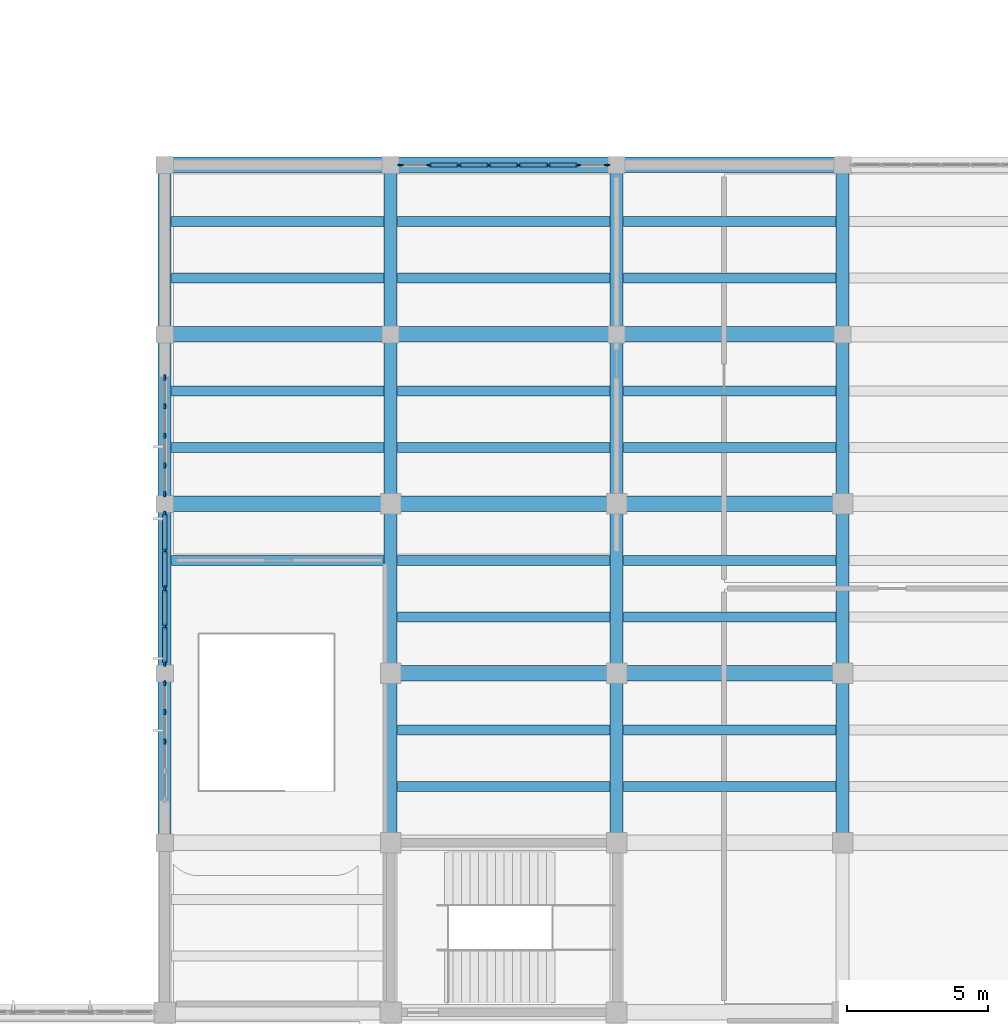
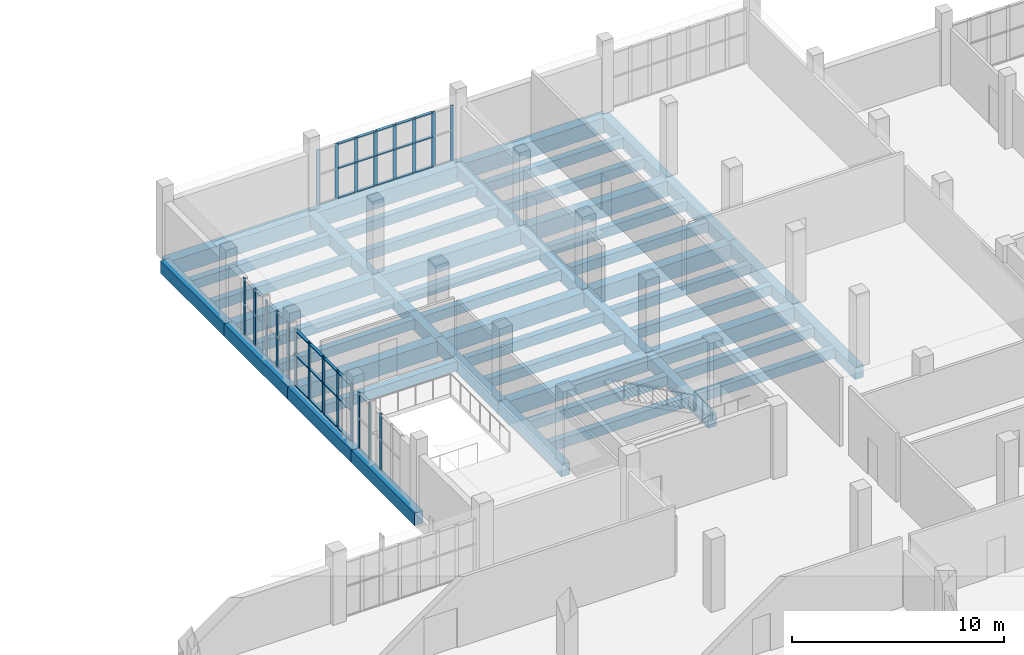
# One storey, part 16 of 85: 49 members, 48 beams, 5 elements without a shape of their own.
"""IFC4 building model written with IfcOpenShell, lengths in metres."""

from ifc_helpers import new_model, si_unit, direction, frame, origin, origin_2d, place, context, subcontext, project, spatial, rectangle, extrude, material, layer, layer_set, material_profile, profile_set, type_object, element, aggregate, save


model = new_model("IFC4")

# Units and contexts
model_context = context("Model", 3, precision=1e-05, world=origin(), true_north=direction((0.0, 1.0)))
body_context = subcontext(model_context, "Body", "Model", "MODEL_VIEW")
ifc_project = project(units=[si_unit("LENGTHUNIT", "METRE"), si_unit("AREAUNIT", "SQUARE_METRE"), si_unit("VOLUMEUNIT", "CUBIC_METRE"), si_unit("PLANEANGLEUNIT", "RADIAN"), si_unit("MASSUNIT", "GRAM", prefix="KILO")], contexts=[model_context])

# Site, building, storey
site_placement = place(None, origin())
site = spatial("IfcSite", under=ifc_project, at=site_placement, CompositionType="ELEMENT")
building_placement = place(site_placement, origin())
building = spatial("IfcBuilding", under=site, at=building_placement, Name="Solvane Community Centre", CompositionType="ELEMENT")
storey_placement = place(building_placement, frame((0.0, 0.0, 5.39990234375)))
storey = spatial("IfcBuildingStorey", under=building, at=storey_placement, Name="L01", CompositionType="ELEMENT", Elevation=5.39990234375)

# Curtain wall, members
ifc_material_1 = material(Name="Anodised bronze aluminium AW-6063 T6", Category="aluminium")
ifc_layer_1 = layer(ifc_material_1, 0.18994140625)
ifc_layer_set_1 = layer_set([ifc_layer_1], Name="Anodised bronze aluminium AW-6063 T6")
curtain_wall_type_1 = type_object("IfcCurtainWallType", Name="Boulevard Bronze Vision Curtain Wall [42x32dm]", PredefinedType="NOTDEFINED", material=ifc_layer_set_1)
curtain_wall_1_placement = place(storey_placement, origin())
curtain_wall_1 = element("IfcCurtainWall", 1, at=curtain_wall_1_placement, inside=storey, type_object=curtain_wall_type_1, Name="Curtain Wall CW-L01-1080_375-114", PredefinedType="NOTDEFINED")
ifc_material_profile_1 = material_profile(ifc_material_1, rectangle(XDim=0.06005859375, YDim=0.18994140625, at=origin_2d()), Name="CW-M 60x190")
ifc_profile_set_1 = profile_set([ifc_material_profile_1], Name="Anodised bronze aluminium AW-6063 T6")
member_type_1 = type_object("IfcMemberType", Name="Boulevard Mullion 60x190", PredefinedType="MULLION", material=ifc_profile_set_1)
member_1_placement = place(storey_placement, frame((108.0, 39.590087890625, 0.0), z_axis=(0.0, 0.0, 1.0), x_axis=(-1.0, 0.0, 0.0)))
member_1 = element("IfcMember", 2, at=member_1_placement, type_object=member_type_1, Name="CW02-42x32 mullion 3", PredefinedType="MULLION", context=body_context, shape_type="SweptSolid", body=[
    extrude(rectangle(XDim=0.06005859375, YDim=0.18994140625, at=origin_2d()), origin(), (0.0, 0.0, 1.0), 3.2451171875),
])
member_2_placement = place(storey_placement, frame((108.0, 40.635009765625, 0.0), z_axis=(0.0, 0.0, 1.0), x_axis=(-1.0, 0.0, 0.0)))
member_2 = element("IfcMember", 3, at=member_2_placement, type_object=member_type_1, Name="CW02-42x32 mullion 4", PredefinedType="MULLION", context=body_context, shape_type="SweptSolid", body=[
    extrude(rectangle(XDim=0.06005859375, YDim=0.18994140625, at=origin_2d()), origin(), (0.0, 0.0, 1.0), 3.2451171875),
])
member_3_placement = place(storey_placement, frame((108.0, 41.64990234375, 0.0), z_axis=(0.0, 0.0, 1.0), x_axis=(-1.0, 0.0, 0.0)))
member_3 = element("IfcMember", 4, at=member_3_placement, type_object=member_type_1, Name="CW02-42x32 mullion 5", PredefinedType="MULLION", context=body_context, shape_type="SweptSolid", body=[
    extrude(rectangle(XDim=0.06005859375, YDim=0.18994140625, at=origin_2d()), origin(), (0.0, 0.0, 1.0), 3.2451171875),
])
aggregate(curtain_wall_1, [member_1, member_2, member_3])

ifc_layer_2 = layer(ifc_material_1, 0.18994140625)
ifc_layer_set_2 = layer_set([ifc_layer_2], Name="Anodised bronze aluminium AW-6063 T6")
curtain_wall_type_2 = type_object("IfcCurtainWallType", Name="Boulevard Bronze Vision Curtain Wall [27x32dm]", PredefinedType="NOTDEFINED", material=ifc_layer_set_2)
curtain_wall_2_placement = place(storey_placement, origin())
curtain_wall_2 = element("IfcCurtainWall", 5, at=curtain_wall_2_placement, inside=storey, type_object=curtain_wall_type_2, Name="Curtain Wall CW-L01-1080_423-115", PredefinedType="NOTDEFINED")
member_4_placement = place(storey_placement, frame((108.0, 42.35009765625, 0.0), z_axis=(0.0, 0.0, 1.0), x_axis=(-1.0, 0.0, 0.0)))
member_4 = element("IfcMember", 6, at=member_4_placement, type_object=member_type_1, Name="CW02-27x32 mullion 1", PredefinedType="MULLION", context=body_context, shape_type="SweptSolid", body=[
    extrude(rectangle(XDim=0.06005859375, YDim=0.18994140625, at=origin_2d()), origin(), (0.0, 0.0, 1.0), 3.2451171875),
])
member_5_placement = place(storey_placement, frame((108.0, 43.659912109375, 0.0), z_axis=(0.0, 0.0, 1.0), x_axis=(-1.0, 0.0, 0.0)))
member_5 = element("IfcMember", 7, at=member_5_placement, type_object=member_type_1, Name="CW02-27x32 mullion 2", PredefinedType="MULLION", context=body_context, shape_type="SweptSolid", body=[
    extrude(rectangle(XDim=0.06005859375, YDim=0.18994140625, at=origin_2d()), origin(), (0.0, 0.0, 1.0), 3.2451171875),
])
member_6_placement = place(storey_placement, frame((108.0, 44.969970703125, 0.0), z_axis=(0.0, 0.0, 1.0), x_axis=(-1.0, 0.0, 0.0)))
member_6 = element("IfcMember", 8, at=member_6_placement, type_object=member_type_1, Name="CW02-27x32 mullion 3", PredefinedType="MULLION", context=body_context, shape_type="SweptSolid", body=[
    extrude(rectangle(XDim=0.06005859375, YDim=0.18994140625, at=origin_2d()), origin(), (0.0, 0.0, 1.0), 3.2451171875),
])

curtain_wall_3_placement = place(storey_placement, origin())
curtain_wall_3 = element("IfcCurtainWall", 9, at=curtain_wall_3_placement, inside=storey, type_object=curtain_wall_type_2, Name="Curtain Wall CW-L01-1080_450-116", PredefinedType="NOTDEFINED")
member_7_placement = place(storey_placement, frame((108.0, 45.030029296875, 0.0), z_axis=(0.0, 0.0, 1.0), x_axis=(-1.0, 0.0, 0.0)))
member_7 = element("IfcMember", 10, at=member_7_placement, type_object=member_type_1, Name="CW02-27x32 mullion 1", PredefinedType="MULLION", context=body_context, shape_type="SweptSolid", body=[
    extrude(rectangle(XDim=0.06005859375, YDim=0.18994140625, at=origin_2d()), origin(), (0.0, 0.0, 1.0), 3.2451171875),
])
member_8_placement = place(storey_placement, frame((108.0, 46.340087890625, 0.0), z_axis=(0.0, 0.0, 1.0), x_axis=(-1.0, 0.0, 0.0)))
member_8 = element("IfcMember", 11, at=member_8_placement, type_object=member_type_1, Name="CW02-27x32 mullion 2", PredefinedType="MULLION", context=body_context, shape_type="SweptSolid", body=[
    extrude(rectangle(XDim=0.06005859375, YDim=0.18994140625, at=origin_2d()), origin(), (0.0, 0.0, 1.0), 3.2451171875),
])
member_9_placement = place(storey_placement, frame((108.0, 47.64990234375, 0.0), z_axis=(0.0, 0.0, 1.0), x_axis=(-1.0, 0.0, 0.0)))
member_9 = element("IfcMember", 12, at=member_9_placement, type_object=member_type_1, Name="CW02-27x32 mullion 3", PredefinedType="MULLION", context=body_context, shape_type="SweptSolid", body=[
    extrude(rectangle(XDim=0.06005859375, YDim=0.18994140625, at=origin_2d()), origin(), (0.0, 0.0, 1.0), 3.2451171875),
])

curtain_wall_4_placement = place(storey_placement, origin())
curtain_wall_4 = element("IfcCurtainWall", 13, at=curtain_wall_4_placement, inside=storey, type_object=curtain_wall_type_1, Name="Curtain Wall CW-L01-1080_483-117", PredefinedType="NOTDEFINED")
member_10_placement = place(storey_placement, frame((108.0, 48.35009765625, 0.0), z_axis=(0.0, 0.0, 1.0), x_axis=(-1.0, 0.0, 0.0)))
member_10 = element("IfcMember", 14, at=member_10_placement, type_object=member_type_1, Name="CW02-42x32 mullion 1", PredefinedType="MULLION", context=body_context, shape_type="SweptSolid", body=[
    extrude(rectangle(XDim=0.06005859375, YDim=0.18994140625, at=origin_2d()), origin(), (0.0, 0.0, 1.0), 3.2451171875),
])
member_11_placement = place(storey_placement, frame((108.0, 49.364990234375, 0.0), z_axis=(0.0, 0.0, 1.0), x_axis=(-1.0, 0.0, 0.0)))
member_11 = element("IfcMember", 15, at=member_11_placement, type_object=member_type_1, Name="CW02-42x32 mullion 2", PredefinedType="MULLION", context=body_context, shape_type="SweptSolid", body=[
    extrude(rectangle(XDim=0.06005859375, YDim=0.18994140625, at=origin_2d()), origin(), (0.0, 0.0, 1.0), 3.2451171875),
])
member_12_placement = place(storey_placement, frame((108.0, 50.409912109375, 0.0), z_axis=(0.0, 0.0, 1.0), x_axis=(-1.0, 0.0, 0.0)))
member_12 = element("IfcMember", 16, at=member_12_placement, type_object=member_type_1, Name="CW02-42x32 mullion 3", PredefinedType="MULLION", context=body_context, shape_type="SweptSolid", body=[
    extrude(rectangle(XDim=0.06005859375, YDim=0.18994140625, at=origin_2d()), origin(), (0.0, 0.0, 1.0), 3.2451171875),
])
member_13_placement = place(storey_placement, frame((108.0, 51.455078125, 0.0), z_axis=(0.0, 0.0, 1.0), x_axis=(-1.0, 0.0, 0.0)))
member_13 = element("IfcMember", 17, at=member_13_placement, type_object=member_type_1, Name="CW02-42x32 mullion 4", PredefinedType="MULLION", context=body_context, shape_type="SweptSolid", body=[
    extrude(rectangle(XDim=0.06005859375, YDim=0.18994140625, at=origin_2d()), origin(), (0.0, 0.0, 1.0), 3.2451171875),
])
member_14_placement = place(storey_placement, frame((108.0, 52.469970703125, 0.0), z_axis=(0.0, 0.0, 1.0), x_axis=(-1.0, 0.0, 0.0)))
member_14 = element("IfcMember", 18, at=member_14_placement, type_object=member_type_1, Name="CW02-42x32 mullion 5", PredefinedType="MULLION", context=body_context, shape_type="SweptSolid", body=[
    extrude(rectangle(XDim=0.06005859375, YDim=0.18994140625, at=origin_2d()), origin(), (0.0, 0.0, 1.0), 3.2451171875),
])
aggregate(curtain_wall_4, [member_10, member_11, member_12, member_13, member_14])

ifc_layer_3 = layer(ifc_material_1, 0.18994140625)
ifc_layer_set_3 = layer_set([ifc_layer_3], Name="Anodised bronze aluminium AW-6063 T6")
curtain_wall_type_3 = type_object("IfcCurtainWallType", Name="Boulevard Bronze Vision Curtain Wall [74x32dm]", PredefinedType="NOTDEFINED", material=ifc_layer_set_3)
curtain_wall_5_placement = place(storey_placement, origin())
curtain_wall_5 = element("IfcCurtainWall", 19, at=curtain_wall_5_placement, inside=storey, type_object=curtain_wall_type_3, Name="Curtain Wall CW-L01-1163_600-118", PredefinedType="NOTDEFINED")
member_15_placement = place(storey_placement, frame((116.344970703125, 60.0, 0.0), z_axis=(0.0, 0.0, 1.0), x_axis=(0.0, 1.0, 0.0)))
member_15 = element("IfcMember", 20, at=member_15_placement, type_object=member_type_1, Name="CW02-74x32 mullion 1", PredefinedType="MULLION", context=body_context, shape_type="SweptSolid", body=[
    extrude(rectangle(XDim=0.06005859375, YDim=0.18994140625, at=origin_2d()), origin(), (0.0, 0.0, 1.0), 3.1650390625),
])
member_16_placement = place(storey_placement, frame((117.367919921875, 60.0, 0.0), z_axis=(0.0, 0.0, 1.0), x_axis=(0.0, 1.0, 0.0)))
member_16 = element("IfcMember", 21, at=member_16_placement, type_object=member_type_1, Name="CW02-74x32 mullion 2", PredefinedType="MULLION", context=body_context, shape_type="SweptSolid", body=[
    extrude(rectangle(XDim=0.06005859375, YDim=0.18994140625, at=origin_2d()), origin(), (0.0, 0.0, 1.0), 3.1650390625),
])
member_17_placement = place(storey_placement, frame((118.420654296875, 60.0, 0.0), z_axis=(0.0, 0.0, 1.0), x_axis=(0.0, 1.0, 0.0)))
member_17 = element("IfcMember", 22, at=member_17_placement, type_object=member_type_1, Name="CW02-74x32 mullion 3", PredefinedType="MULLION", context=body_context, shape_type="SweptSolid", body=[
    extrude(rectangle(XDim=0.06005859375, YDim=0.18994140625, at=origin_2d()), origin(), (0.0, 0.0, 1.0), 3.1650390625),
])
member_18_placement = place(storey_placement, frame((119.4736328125, 60.0, 0.0), z_axis=(0.0, 0.0, 1.0), x_axis=(0.0, 1.0, 0.0)))
member_18 = element("IfcMember", 23, at=member_18_placement, type_object=member_type_1, Name="CW02-74x32 mullion 4", PredefinedType="MULLION", context=body_context, shape_type="SweptSolid", body=[
    extrude(rectangle(XDim=0.06005859375, YDim=0.18994140625, at=origin_2d()), origin(), (0.0, 0.0, 1.0), 3.1650390625),
])
member_19_placement = place(storey_placement, frame((120.5263671875, 60.0, 0.0), z_axis=(0.0, 0.0, 1.0), x_axis=(0.0, 1.0, 0.0)))
member_19 = element("IfcMember", 24, at=member_19_placement, type_object=member_type_1, Name="CW02-74x32 mullion 5", PredefinedType="MULLION", context=body_context, shape_type="SweptSolid", body=[
    extrude(rectangle(XDim=0.06005859375, YDim=0.18994140625, at=origin_2d()), origin(), (0.0, 0.0, 1.0), 3.1650390625),
])
member_20_placement = place(storey_placement, frame((121.579345703125, 60.0, 0.0), z_axis=(0.0, 0.0, 1.0), x_axis=(0.0, 1.0, 0.0)))
member_20 = element("IfcMember", 25, at=member_20_placement, type_object=member_type_1, Name="CW02-74x32 mullion 6", PredefinedType="MULLION", context=body_context, shape_type="SweptSolid", body=[
    extrude(rectangle(XDim=0.06005859375, YDim=0.18994140625, at=origin_2d()), origin(), (0.0, 0.0, 1.0), 3.1650390625),
])
member_21_placement = place(storey_placement, frame((122.632080078125, 60.0, 0.0), z_axis=(0.0, 0.0, 1.0), x_axis=(0.0, 1.0, 0.0)))
member_21 = element("IfcMember", 26, at=member_21_placement, type_object=member_type_1, Name="CW02-74x32 mullion 7", PredefinedType="MULLION", context=body_context, shape_type="SweptSolid", body=[
    extrude(rectangle(XDim=0.06005859375, YDim=0.18994140625, at=origin_2d()), origin(), (0.0, 0.0, 1.0), 3.1650390625),
])
member_22_placement = place(storey_placement, frame((123.655029296875, 60.0, 0.0), z_axis=(0.0, 0.0, 1.0), x_axis=(0.0, 1.0, 0.0)))
member_22 = element("IfcMember", 27, at=member_22_placement, type_object=member_type_1, Name="CW02-74x32 mullion 8", PredefinedType="MULLION", context=body_context, shape_type="SweptSolid", body=[
    extrude(rectangle(XDim=0.06005859375, YDim=0.18994140625, at=origin_2d()), origin(), (0.0, 0.0, 1.0), 3.1650390625),
])

# Member
ifc_material_profile_2 = material_profile(ifc_material_1, rectangle(XDim=0.14990234375, YDim=0.06005859375, at=origin_2d()), Name="CW-T 60x150")
ifc_profile_set_2 = profile_set([ifc_material_profile_2], Name="Anodised bronze aluminium AW-6063 T6")
member_type_2 = type_object("IfcMemberType", Name="Boulevard Transom 60x150", PredefinedType="USERDEFINED", material=ifc_profile_set_2)
member_23_placement = place(storey_placement, frame((108.0, 42.3798828125, 0.030029296875), z_axis=(0.0, 1.0, 0.0), x_axis=(-1.0, 0.0, 0.0)))
member_23 = element("IfcMember", 28, at=member_23_placement, type_object=member_type_2, Name="CW02-27x32 transom 1.1", ObjectType="TRANSOM", PredefinedType="USERDEFINED", context=body_context, shape_type="SweptSolid", body=[
    extrude(rectangle(XDim=0.14990234375, YDim=0.06005859375, at=origin_2d()), origin(), (0.0, 0.0, 1.0), 1.25),
])

member_24_placement = place(storey_placement, frame((108.0, 42.3798828125, 1.78515625), z_axis=(0.0, 1.0, 0.0), x_axis=(-1.0, 0.0, 0.0)))
member_24 = element("IfcMember", 29, at=member_24_placement, type_object=member_type_2, Name="CW02-27x32 transom 1.2", ObjectType="TRANSOM", PredefinedType="USERDEFINED", context=body_context, shape_type="SweptSolid", body=[
    extrude(rectangle(XDim=0.14990234375, YDim=0.06005859375, at=origin_2d()), origin(), (0.0, 0.0, 1.0), 1.25),
])

member_25_placement = place(storey_placement, frame((108.0, 42.3798828125, 3.215087890625), z_axis=(0.0, 1.0, 0.0), x_axis=(-1.0, 0.0, 0.0)))
member_25 = element("IfcMember", 30, at=member_25_placement, type_object=member_type_2, Name="CW02-27x32 transom 1.3", ObjectType="TRANSOM", PredefinedType="USERDEFINED", context=body_context, shape_type="SweptSolid", body=[
    extrude(rectangle(XDim=0.14990234375, YDim=0.06005859375, at=origin_2d()), origin(), (0.0, 0.0, 1.0), 1.25),
])

member_26_placement = place(storey_placement, frame((108.0, 43.68994140625, 0.030029296875), z_axis=(0.0, 1.0, 0.0), x_axis=(-1.0, 0.0, 0.0)))
member_26 = element("IfcMember", 31, at=member_26_placement, type_object=member_type_2, Name="CW02-27x32 transom 2.1", ObjectType="TRANSOM", PredefinedType="USERDEFINED", context=body_context, shape_type="SweptSolid", body=[
    extrude(rectangle(XDim=0.14990234375, YDim=0.06005859375, at=origin_2d()), origin(), (0.0, 0.0, 1.0), 1.25),
])

member_27_placement = place(storey_placement, frame((108.0, 43.68994140625, 1.78515625), z_axis=(0.0, 1.0, 0.0), x_axis=(-1.0, 0.0, 0.0)))
member_27 = element("IfcMember", 32, at=member_27_placement, type_object=member_type_2, Name="CW02-27x32 transom 2.2", ObjectType="TRANSOM", PredefinedType="USERDEFINED", context=body_context, shape_type="SweptSolid", body=[
    extrude(rectangle(XDim=0.14990234375, YDim=0.06005859375, at=origin_2d()), origin(), (0.0, 0.0, 1.0), 1.25),
])

member_28_placement = place(storey_placement, frame((108.0, 43.68994140625, 3.215087890625), z_axis=(0.0, 1.0, 0.0), x_axis=(-1.0, 0.0, 0.0)))
member_28 = element("IfcMember", 33, at=member_28_placement, type_object=member_type_2, Name="CW02-27x32 transom 2.3", ObjectType="TRANSOM", PredefinedType="USERDEFINED", context=body_context, shape_type="SweptSolid", body=[
    extrude(rectangle(XDim=0.14990234375, YDim=0.06005859375, at=origin_2d()), origin(), (0.0, 0.0, 1.0), 1.25),
])

aggregate(curtain_wall_2, [member_4, member_5, member_6, member_23, member_24, member_25, member_26, member_27, member_28])

member_29_placement = place(storey_placement, frame((108.0, 45.06005859375, 0.030029296875), z_axis=(0.0, 1.0, 0.0), x_axis=(-1.0, 0.0, 0.0)))
member_29 = element("IfcMember", 34, at=member_29_placement, type_object=member_type_2, Name="CW02-27x32 transom 1.1", ObjectType="TRANSOM", PredefinedType="USERDEFINED", context=body_context, shape_type="SweptSolid", body=[
    extrude(rectangle(XDim=0.14990234375, YDim=0.06005859375, at=origin_2d()), origin(), (0.0, 0.0, 1.0), 1.25),
])

member_30_placement = place(storey_placement, frame((108.0, 45.06005859375, 1.78515625), z_axis=(0.0, 1.0, 0.0), x_axis=(-1.0, 0.0, 0.0)))
member_30 = element("IfcMember", 35, at=member_30_placement, type_object=member_type_2, Name="CW02-27x32 transom 1.2", ObjectType="TRANSOM", PredefinedType="USERDEFINED", context=body_context, shape_type="SweptSolid", body=[
    extrude(rectangle(XDim=0.14990234375, YDim=0.06005859375, at=origin_2d()), origin(), (0.0, 0.0, 1.0), 1.25),
])

member_31_placement = place(storey_placement, frame((108.0, 45.06005859375, 3.215087890625), z_axis=(0.0, 1.0, 0.0), x_axis=(-1.0, 0.0, 0.0)))
member_31 = element("IfcMember", 36, at=member_31_placement, type_object=member_type_2, Name="CW02-27x32 transom 1.3", ObjectType="TRANSOM", PredefinedType="USERDEFINED", context=body_context, shape_type="SweptSolid", body=[
    extrude(rectangle(XDim=0.14990234375, YDim=0.06005859375, at=origin_2d()), origin(), (0.0, 0.0, 1.0), 1.25),
])

member_32_placement = place(storey_placement, frame((108.0, 46.3701171875, 0.030029296875), z_axis=(0.0, 1.0, 0.0), x_axis=(-1.0, 0.0, 0.0)))
member_32 = element("IfcMember", 37, at=member_32_placement, type_object=member_type_2, Name="CW02-27x32 transom 2.1", ObjectType="TRANSOM", PredefinedType="USERDEFINED", context=body_context, shape_type="SweptSolid", body=[
    extrude(rectangle(XDim=0.14990234375, YDim=0.06005859375, at=origin_2d()), origin(), (0.0, 0.0, 1.0), 1.25),
])

member_33_placement = place(storey_placement, frame((108.0, 46.3701171875, 1.78515625), z_axis=(0.0, 1.0, 0.0), x_axis=(-1.0, 0.0, 0.0)))
member_33 = element("IfcMember", 38, at=member_33_placement, type_object=member_type_2, Name="CW02-27x32 transom 2.2", ObjectType="TRANSOM", PredefinedType="USERDEFINED", context=body_context, shape_type="SweptSolid", body=[
    extrude(rectangle(XDim=0.14990234375, YDim=0.06005859375, at=origin_2d()), origin(), (0.0, 0.0, 1.0), 1.25),
])

member_34_placement = place(storey_placement, frame((108.0, 46.3701171875, 3.215087890625), z_axis=(0.0, 1.0, 0.0), x_axis=(-1.0, 0.0, 0.0)))
member_34 = element("IfcMember", 39, at=member_34_placement, type_object=member_type_2, Name="CW02-27x32 transom 2.3", ObjectType="TRANSOM", PredefinedType="USERDEFINED", context=body_context, shape_type="SweptSolid", body=[
    extrude(rectangle(XDim=0.14990234375, YDim=0.06005859375, at=origin_2d()), origin(), (0.0, 0.0, 1.0), 1.25),
])

aggregate(curtain_wall_3, [member_7, member_8, member_9, member_29, member_30, member_31, member_32, member_33, member_34])

member_35_placement = place(storey_placement, frame((117.39794921875, 60.0, 0.030029296875), z_axis=(1.0, 0.0, 0.0), x_axis=(0.0, 1.0, 0.0)))
member_35 = element("IfcMember", 40, at=member_35_placement, type_object=member_type_2, Name="CW02-74x32 transom 2.1", ObjectType="TRANSOM", PredefinedType="USERDEFINED", context=body_context, shape_type="SweptSolid", body=[
    extrude(rectangle(XDim=0.14990234375, YDim=0.06005859375, at=origin_2d()), origin(), (0.0, 0.0, 1.0), 0.99267578125),
])

member_36_placement = place(storey_placement, frame((117.39794921875, 60.0, 1.7412109375), z_axis=(1.0, 0.0, 0.0), x_axis=(0.0, 1.0, 0.0)))
member_36 = element("IfcMember", 41, at=member_36_placement, type_object=member_type_2, Name="CW02-74x32 transom 2.2", ObjectType="TRANSOM", PredefinedType="USERDEFINED", context=body_context, shape_type="SweptSolid", body=[
    extrude(rectangle(XDim=0.14990234375, YDim=0.06005859375, at=origin_2d()), origin(), (0.0, 0.0, 1.0), 0.99267578125),
])

member_37_placement = place(storey_placement, frame((117.39794921875, 60.0, 3.135009765625), z_axis=(1.0, 0.0, 0.0), x_axis=(0.0, 1.0, 0.0)))
member_37 = element("IfcMember", 42, at=member_37_placement, type_object=member_type_2, Name="CW02-74x32 transom 2.3", ObjectType="TRANSOM", PredefinedType="USERDEFINED", context=body_context, shape_type="SweptSolid", body=[
    extrude(rectangle(XDim=0.14990234375, YDim=0.06005859375, at=origin_2d()), origin(), (0.0, 0.0, 1.0), 0.99267578125),
])

member_38_placement = place(storey_placement, frame((118.45068359375, 60.0, 0.030029296875), z_axis=(1.0, 0.0, 0.0), x_axis=(0.0, 1.0, 0.0)))
member_38 = element("IfcMember", 43, at=member_38_placement, type_object=member_type_2, Name="CW02-74x32 transom 3.1", ObjectType="TRANSOM", PredefinedType="USERDEFINED", context=body_context, shape_type="SweptSolid", body=[
    extrude(rectangle(XDim=0.14990234375, YDim=0.06005859375, at=origin_2d()), origin(), (0.0, 0.0, 1.0), 0.992919921875),
])

member_39_placement = place(storey_placement, frame((118.45068359375, 60.0, 1.7412109375), z_axis=(1.0, 0.0, 0.0), x_axis=(0.0, 1.0, 0.0)))
member_39 = element("IfcMember", 44, at=member_39_placement, type_object=member_type_2, Name="CW02-74x32 transom 3.2", ObjectType="TRANSOM", PredefinedType="USERDEFINED", context=body_context, shape_type="SweptSolid", body=[
    extrude(rectangle(XDim=0.14990234375, YDim=0.06005859375, at=origin_2d()), origin(), (0.0, 0.0, 1.0), 0.992919921875),
])

member_40_placement = place(storey_placement, frame((118.45068359375, 60.0, 3.135009765625), z_axis=(1.0, 0.0, 0.0), x_axis=(0.0, 1.0, 0.0)))
member_40 = element("IfcMember", 45, at=member_40_placement, type_object=member_type_2, Name="CW02-74x32 transom 3.3", ObjectType="TRANSOM", PredefinedType="USERDEFINED", context=body_context, shape_type="SweptSolid", body=[
    extrude(rectangle(XDim=0.14990234375, YDim=0.06005859375, at=origin_2d()), origin(), (0.0, 0.0, 1.0), 0.992919921875),
])

member_41_placement = place(storey_placement, frame((119.503662109375, 60.0, 0.030029296875), z_axis=(1.0, 0.0, 0.0), x_axis=(0.0, 1.0, 0.0)))
member_41 = element("IfcMember", 46, at=member_41_placement, type_object=member_type_2, Name="CW02-74x32 transom 4.1", ObjectType="TRANSOM", PredefinedType="USERDEFINED", context=body_context, shape_type="SweptSolid", body=[
    extrude(rectangle(XDim=0.14990234375, YDim=0.06005859375, at=origin_2d()), origin(), (0.0, 0.0, 1.0), 0.99267578125),
])

member_42_placement = place(storey_placement, frame((119.503662109375, 60.0, 1.7412109375), z_axis=(1.0, 0.0, 0.0), x_axis=(0.0, 1.0, 0.0)))
member_42 = element("IfcMember", 47, at=member_42_placement, type_object=member_type_2, Name="CW02-74x32 transom 4.2", ObjectType="TRANSOM", PredefinedType="USERDEFINED", context=body_context, shape_type="SweptSolid", body=[
    extrude(rectangle(XDim=0.14990234375, YDim=0.06005859375, at=origin_2d()), origin(), (0.0, 0.0, 1.0), 0.99267578125),
])

member_43_placement = place(storey_placement, frame((119.503662109375, 60.0, 3.135009765625), z_axis=(1.0, 0.0, 0.0), x_axis=(0.0, 1.0, 0.0)))
member_43 = element("IfcMember", 48, at=member_43_placement, type_object=member_type_2, Name="CW02-74x32 transom 4.3", ObjectType="TRANSOM", PredefinedType="USERDEFINED", context=body_context, shape_type="SweptSolid", body=[
    extrude(rectangle(XDim=0.14990234375, YDim=0.06005859375, at=origin_2d()), origin(), (0.0, 0.0, 1.0), 0.99267578125),
])

member_44_placement = place(storey_placement, frame((120.556396484375, 60.0, 0.030029296875), z_axis=(1.0, 0.0, 0.0), x_axis=(0.0, 1.0, 0.0)))
member_44 = element("IfcMember", 49, at=member_44_placement, type_object=member_type_2, Name="CW02-74x32 transom 5.1", ObjectType="TRANSOM", PredefinedType="USERDEFINED", context=body_context, shape_type="SweptSolid", body=[
    extrude(rectangle(XDim=0.14990234375, YDim=0.06005859375, at=origin_2d()), origin(), (0.0, 0.0, 1.0), 0.992919921875),
])

member_45_placement = place(storey_placement, frame((120.556396484375, 60.0, 1.7412109375), z_axis=(1.0, 0.0, 0.0), x_axis=(0.0, 1.0, 0.0)))
member_45 = element("IfcMember", 50, at=member_45_placement, type_object=member_type_2, Name="CW02-74x32 transom 5.2", ObjectType="TRANSOM", PredefinedType="USERDEFINED", context=body_context, shape_type="SweptSolid", body=[
    extrude(rectangle(XDim=0.14990234375, YDim=0.06005859375, at=origin_2d()), origin(), (0.0, 0.0, 1.0), 0.992919921875),
])

member_46_placement = place(storey_placement, frame((120.556396484375, 60.0, 3.135009765625), z_axis=(1.0, 0.0, 0.0), x_axis=(0.0, 1.0, 0.0)))
member_46 = element("IfcMember", 51, at=member_46_placement, type_object=member_type_2, Name="CW02-74x32 transom 5.3", ObjectType="TRANSOM", PredefinedType="USERDEFINED", context=body_context, shape_type="SweptSolid", body=[
    extrude(rectangle(XDim=0.14990234375, YDim=0.06005859375, at=origin_2d()), origin(), (0.0, 0.0, 1.0), 0.992919921875),
])

member_47_placement = place(storey_placement, frame((121.609375, 60.0, 0.030029296875), z_axis=(1.0, 0.0, 0.0), x_axis=(0.0, 1.0, 0.0)))
member_47 = element("IfcMember", 52, at=member_47_placement, type_object=member_type_2, Name="CW02-74x32 transom 6.1", ObjectType="TRANSOM", PredefinedType="USERDEFINED", context=body_context, shape_type="SweptSolid", body=[
    extrude(rectangle(XDim=0.14990234375, YDim=0.06005859375, at=origin_2d()), origin(), (0.0, 0.0, 1.0), 0.99267578125),
])

member_48_placement = place(storey_placement, frame((121.609375, 60.0, 1.7412109375), z_axis=(1.0, 0.0, 0.0), x_axis=(0.0, 1.0, 0.0)))
member_48 = element("IfcMember", 53, at=member_48_placement, type_object=member_type_2, Name="CW02-74x32 transom 6.2", ObjectType="TRANSOM", PredefinedType="USERDEFINED", context=body_context, shape_type="SweptSolid", body=[
    extrude(rectangle(XDim=0.14990234375, YDim=0.06005859375, at=origin_2d()), origin(), (0.0, 0.0, 1.0), 0.99267578125),
])

member_49_placement = place(storey_placement, frame((121.609375, 60.0, 3.135009765625), z_axis=(1.0, 0.0, 0.0), x_axis=(0.0, 1.0, 0.0)))
member_49 = element("IfcMember", 54, at=member_49_placement, type_object=member_type_2, Name="CW02-74x32 transom 6.3", ObjectType="TRANSOM", PredefinedType="USERDEFINED", context=body_context, shape_type="SweptSolid", body=[
    extrude(rectangle(XDim=0.14990234375, YDim=0.06005859375, at=origin_2d()), origin(), (0.0, 0.0, 1.0), 0.99267578125),
])

aggregate(curtain_wall_5, [member_15, member_16, member_17, member_18, member_19, member_20, member_21, member_22, member_35, member_36, member_37, member_38, member_39, member_40, member_41, member_42, member_43, member_44, member_45, member_46, member_47, member_48, member_49])

# Beams
ifc_material_2 = material(Name="Concrete C35/45", Category="concrete")
ifc_material_profile_3 = material_profile(ifc_material_2, rectangle(XDim=0.4599609375, YDim=0.719970703125, at=origin_2d()), Name="RC 460x720")
ifc_profile_set_3 = profile_set([ifc_material_profile_3], Name="Concrete C35/45")
beam_type_1 = type_object("IfcBeamType", Name="RC Cloister Beam 460x720", PredefinedType="BEAM", material=ifc_profile_set_3)
for number, where, z_axis, x_axis, name in (
    (55, (108.0, 36.0, -0.599853515625), (0.0, 1.0, 0.0), (-1.0, 0.0, 0.0), "Beam BM-L01-1080_360-1080_420"),
    (56, (108.0, 42.0, -0.599853515625), (0.0, 1.0, 0.0), (-1.0, 0.0, 0.0), "Beam BM-L01-1080_420-1080_480"),
    (57, (108.0, 48.0, -0.599853515625), (0.0, 1.0, 0.0), (-1.0, 0.0, 0.0), "Beam BM-L01-1080_480-1080_540"),
    (58, (108.0, 54.0, -0.599853515625), (0.0, 1.0, 0.0), (-1.0, 0.0, 0.0), "Beam BM-L01-1080_540-1080_600"),
    (59, (116.0, 36.0, -0.599853515625), (0.0, 1.0, 0.0), (-1.0, 0.0, 0.0), "Beam BM-L01-1160_360-1160_420"),
    (60, (116.0, 42.0, -0.599853515625), (0.0, 1.0, 0.0), (-1.0, 0.0, 0.0), "Beam BM-L01-1160_420-1160_480"),
    (61, (116.0, 48.0, -0.599853515625), (0.0, 1.0, 0.0), (-1.0, 0.0, 0.0), "Beam BM-L01-1160_480-1160_540"),
    (62, (116.0, 54.0, -0.599853515625), (0.0, 1.0, 0.0), (-1.0, 0.0, 0.0), "Beam BM-L01-1160_540-1160_600"),
    (63, (124.0, 36.0, -0.599853515625), (0.0, 1.0, 0.0), (-1.0, 0.0, 0.0), "Beam BM-L01-1240_360-1240_420"),
    (64, (124.0, 42.0, -0.599853515625), (0.0, 1.0, 0.0), (-1.0, 0.0, 0.0), "Beam BM-L01-1240_420-1240_480"),
    (65, (124.0, 48.0, -0.599853515625), (0.0, 1.0, 0.0), (-1.0, 0.0, 0.0), "Beam BM-L01-1240_480-1240_540"),
    (66, (124.0, 54.0, -0.599853515625), (0.0, 1.0, 0.0), (-1.0, 0.0, 0.0), "Beam BM-L01-1240_540-1240_600"),
    (67, (132.0, 36.0, -0.599853515625), (0.0, 1.0, 0.0), (-1.0, 0.0, 0.0), "Beam BM-L01-1320_360-1320_420"),
    (68, (132.0, 42.0, -0.599853515625), (0.0, 1.0, 0.0), (-1.0, 0.0, 0.0), "Beam BM-L01-1320_420-1320_480"),
    (69, (132.0, 48.0, -0.599853515625), (0.0, 1.0, 0.0), (-1.0, 0.0, 0.0), "Beam BM-L01-1320_480-1320_540"),
    (70, (132.0, 54.0, -0.599853515625), (0.0, 1.0, 0.0), (-1.0, 0.0, 0.0), "Beam BM-L01-1320_540-1320_600"),
):
    element("IfcBeam", number, at=place(storey_placement, frame(where, z_axis=z_axis, x_axis=x_axis)), inside=storey, type_object=beam_type_1, Name=name, PredefinedType="BEAM", context=body_context, shape_type="SweptSolid", body=[
        extrude(rectangle(XDim=0.4599609375, YDim=0.719970703125, at=origin_2d()), origin(), (0.0, 0.0, 1.0), 6.0),
    ])
ifc_material_profile_4 = material_profile(ifc_material_2, rectangle(XDim=0.550048828125, YDim=0.89990234375, at=origin_2d()), Name="RC 550x900")
ifc_profile_set_4 = profile_set([ifc_material_profile_4], Name="Concrete C35/45")
beam_type_2 = type_object("IfcBeamType", Name="RC Heavy Girder 550x900", PredefinedType="USERDEFINED", material=ifc_profile_set_4)
for number, where, z_axis, x_axis, name in (
    (71, (116.0, 42.0, -0.68994140625), (1.0, 0.0, 0.0), (0.0, 1.0, 0.0), "Beam BM-L01-1160_420-1240_420"),
    (72, (124.0, 42.0, -0.68994140625), (1.0, 0.0, 0.0), (0.0, 1.0, 0.0), "Beam BM-L01-1240_420-1320_420"),
    (73, (108.0, 48.0, -0.68994140625), (1.0, 0.0, 0.0), (0.0, 1.0, 0.0), "Beam BM-L01-1080_480-1160_480"),
    (74, (116.0, 48.0, -0.68994140625), (1.0, 0.0, 0.0), (0.0, 1.0, 0.0), "Beam BM-L01-1160_480-1240_480"),
    (75, (124.0, 48.0, -0.68994140625), (1.0, 0.0, 0.0), (0.0, 1.0, 0.0), "Beam BM-L01-1240_480-1320_480"),
    (76, (108.0, 54.0, -0.68994140625), (1.0, 0.0, 0.0), (0.0, 1.0, 0.0), "Beam BM-L01-1080_540-1160_540"),
    (77, (116.0, 54.0, -0.68994140625), (1.0, 0.0, 0.0), (0.0, 1.0, 0.0), "Beam BM-L01-1160_540-1240_540"),
    (78, (124.0, 54.0, -0.68994140625), (1.0, 0.0, 0.0), (0.0, 1.0, 0.0), "Beam BM-L01-1240_540-1320_540"),
    (79, (108.0, 60.0, -0.68994140625), (1.0, 0.0, 0.0), (0.0, 1.0, 0.0), "Beam BM-L01-1080_600-1160_600"),
    (80, (116.0, 60.0, -0.68994140625), (1.0, 0.0, 0.0), (0.0, 1.0, 0.0), "Beam BM-L01-1160_600-1240_600"),
    (81, (124.0, 60.0, -0.68994140625), (1.0, 0.0, 0.0), (0.0, 1.0, 0.0), "Beam BM-L01-1240_600-1320_600"),
):
    element("IfcBeam", number, at=place(storey_placement, frame(where, z_axis=z_axis, x_axis=x_axis)), inside=storey, type_object=beam_type_2, Name=name, ObjectType="GIRDER", PredefinedType="USERDEFINED", context=body_context, shape_type="SweptSolid", body=[
        extrude(rectangle(XDim=0.550048828125, YDim=0.89990234375, at=origin_2d()), origin(), (0.0, 0.0, 1.0), 8.0),
    ])
ifc_material_profile_5 = material_profile(ifc_material_2, rectangle(XDim=0.35009765625, YDim=0.550048828125, at=origin_2d()), Name="RC 350x550")
ifc_profile_set_5 = profile_set([ifc_material_profile_5], Name="Concrete C35/45")
beam_type_3 = type_object("IfcBeamType", Name="RC Secondary Joist 350x550", PredefinedType="JOIST", material=ifc_profile_set_5)
for number, where, z_axis, x_axis, name in (
    (82, (108.239990234375, 46.0, -0.514892578125), (1.0, 0.0, 0.0), (0.0, 1.0, 0.0), "Beam BM-L01-1082_460-1158_460"),
    (83, (108.239990234375, 50.0, -0.514892578125), (1.0, 0.0, 0.0), (0.0, 1.0, 0.0), "Beam BM-L01-1082_500-1158_500"),
    (84, (108.239990234375, 52.0, -0.514892578125), (1.0, 0.0, 0.0), (0.0, 1.0, 0.0), "Beam BM-L01-1082_520-1158_520"),
    (85, (108.239990234375, 56.0, -0.514892578125), (1.0, 0.0, 0.0), (0.0, 1.0, 0.0), "Beam BM-L01-1082_560-1158_560"),
    (86, (108.239990234375, 58.0, -0.514892578125), (1.0, 0.0, 0.0), (0.0, 1.0, 0.0), "Beam BM-L01-1082_580-1158_580"),
    (87, (116.239990234375, 38.0, -0.514892578125), (1.0, 0.0, 0.0), (0.0, 1.0, 0.0), "Beam BM-L01-1162_380-1238_380"),
    (88, (116.239990234375, 40.0, -0.514892578125), (1.0, 0.0, 0.0), (0.0, 1.0, 0.0), "Beam BM-L01-1162_400-1238_400"),
    (89, (116.239990234375, 44.0, -0.514892578125), (1.0, 0.0, 0.0), (0.0, 1.0, 0.0), "Beam BM-L01-1162_440-1238_440"),
    (90, (116.239990234375, 46.0, -0.514892578125), (1.0, 0.0, 0.0), (0.0, 1.0, 0.0), "Beam BM-L01-1162_460-1238_460"),
    (91, (116.239990234375, 50.0, -0.514892578125), (1.0, 0.0, 0.0), (0.0, 1.0, 0.0), "Beam BM-L01-1162_500-1238_500"),
    (92, (116.239990234375, 52.0, -0.514892578125), (1.0, 0.0, 0.0), (0.0, 1.0, 0.0), "Beam BM-L01-1162_520-1238_520"),
    (93, (116.239990234375, 56.0, -0.514892578125), (1.0, 0.0, 0.0), (0.0, 1.0, 0.0), "Beam BM-L01-1162_560-1238_560"),
    (94, (116.239990234375, 58.0, -0.514892578125), (1.0, 0.0, 0.0), (0.0, 1.0, 0.0), "Beam BM-L01-1162_580-1238_580"),
    (95, (124.239990234375, 38.0, -0.514892578125), (1.0, 0.0, 0.0), (0.0, 1.0, 0.0), "Beam BM-L01-1242_380-1318_380"),
    (96, (124.239990234375, 40.0, -0.514892578125), (1.0, 0.0, 0.0), (0.0, 1.0, 0.0), "Beam BM-L01-1242_400-1318_400"),
    (97, (124.239990234375, 44.0, -0.514892578125), (1.0, 0.0, 0.0), (0.0, 1.0, 0.0), "Beam BM-L01-1242_440-1318_440"),
    (98, (124.239990234375, 46.0, -0.514892578125), (1.0, 0.0, 0.0), (0.0, 1.0, 0.0), "Beam BM-L01-1242_460-1318_460"),
    (99, (124.239990234375, 50.0, -0.514892578125), (1.0, 0.0, 0.0), (0.0, 1.0, 0.0), "Beam BM-L01-1242_500-1318_500"),
    (100, (124.239990234375, 52.0, -0.514892578125), (1.0, 0.0, 0.0), (0.0, 1.0, 0.0), "Beam BM-L01-1242_520-1318_520"),
    (101, (124.239990234375, 56.0, -0.514892578125), (1.0, 0.0, 0.0), (0.0, 1.0, 0.0), "Beam BM-L01-1242_560-1318_560"),
    (102, (124.239990234375, 58.0, -0.514892578125), (1.0, 0.0, 0.0), (0.0, 1.0, 0.0), "Beam BM-L01-1242_580-1318_580"),
):
    element("IfcBeam", number, at=place(storey_placement, frame(where, z_axis=z_axis, x_axis=x_axis)), inside=storey, type_object=beam_type_3, Name=name, PredefinedType="JOIST", context=body_context, shape_type="SweptSolid", body=[
        extrude(rectangle(XDim=0.35009765625, YDim=0.550048828125, at=origin_2d()), origin(), (0.0, 0.0, 1.0), 7.52001953125),
    ])

save(model, "model.ifc")
